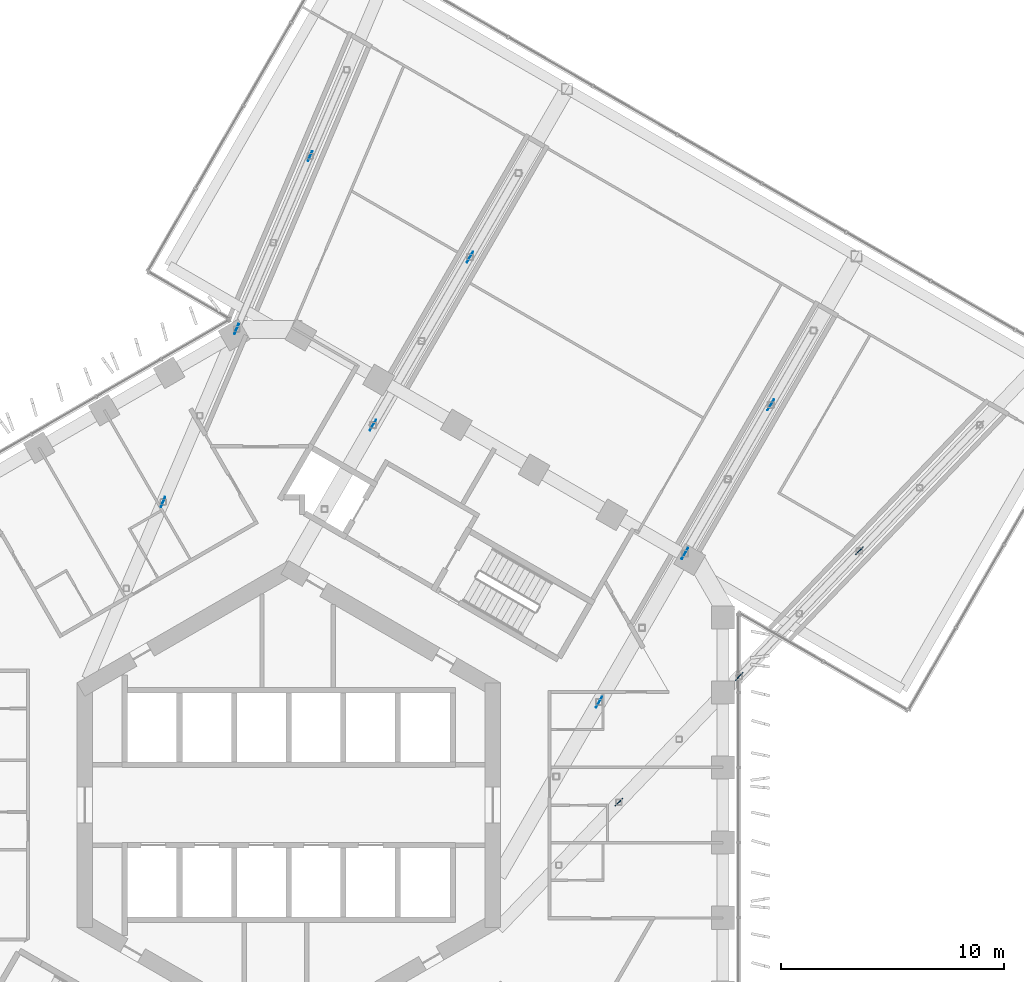
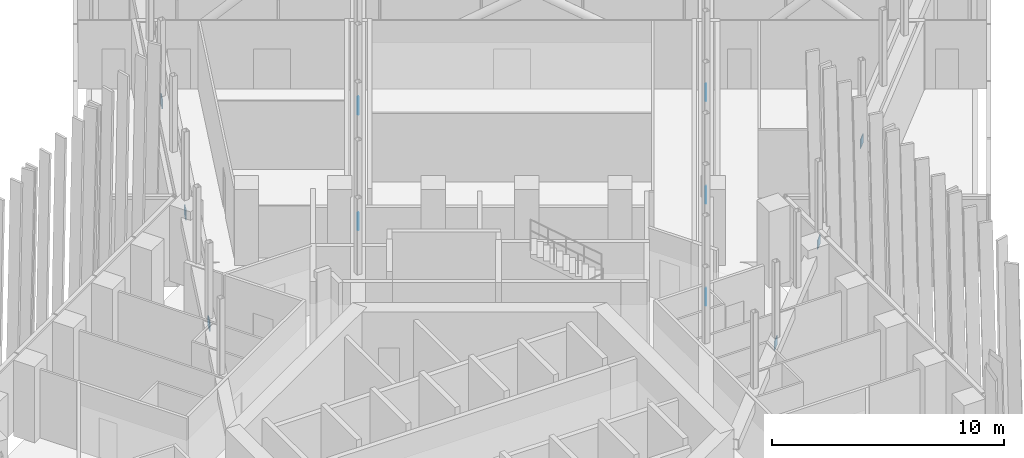
# One storey, part 24 of 31: 11 discrete accessories.
"""IFC4 building model written with IfcOpenShell, lengths in metres."""

import ifcopenshell
import ifcopenshell.guid

model = None  # the IFC model being written
_history = None  # IfcOwnerHistory: only IFC2X3 demands one
_inside = {}  # id of a spatial element -> (the spatial element, [elements in it])
_under = {}  # id of a project, library or spatial element -> (it, [spatial elements below it])
_declared = {}  # id of a project -> (the project, [libraries it declares])
_typed = {}  # id of a type object -> (the type object, [elements of that type])
_made_of = {}  # id of a material, layer set ... -> (it, [elements and type objects made of it])


def new_model(schema):
    """Start an empty IFC model of exactly this schema.

    Asked for "IFC4X3", IfcOpenShell would pick the latest addendum, in which some entities
    have other attributes; the version numbers below select the first issue.
    IFC2X3 requires an IfcOwnerHistory on every rooted entity: one is made here for all.
    """
    global model, _history
    if schema == "IFC4X3":
        model = ifcopenshell.file(schema_version=(4, 3, 0, 0))
    else:
        model = ifcopenshell.file(schema=schema)
    _inside.clear()
    _under.clear()
    _declared.clear()
    _typed.clear()
    _made_of.clear()
    _history = None
    if model.schema == "IFC2X3":
        org = make("IfcOrganization", Name="unknown")
        user = make(
            "IfcPersonAndOrganization",
            ThePerson=make("IfcPerson", FamilyName="unknown"),
            TheOrganization=org,
        )
        app = make(
            "IfcApplication",
            ApplicationDeveloper=org,
            Version="unknown",
            ApplicationFullName="unknown",
            ApplicationIdentifier="unknown",
        )
        _history = make(
            "IfcOwnerHistory",
            OwningUser=user,
            OwningApplication=app,
            ChangeAction="ADDED",
            CreationDate=0,
        )
    return model


def make(cls, **values):
    """One entity of the class cls with the attributes given. An attribute that is None is left unset."""
    return model.create_entity(
        cls, **{name: value for name, value in values.items() if value is not None}
    )


def rooted(cls, **values):
    """An entity with a GlobalId (a new one), such as an element, a storey or a relation."""
    return make(cls, GlobalId=ifcopenshell.guid.new(), OwnerHistory=_history, **values)


def si_unit(unit_type, name, prefix=None):
    """IfcSIUnit, for example si_unit("LENGTHUNIT", "METRE", prefix="MILLI")."""
    return make("IfcSIUnit", UnitType=unit_type, Prefix=prefix, Name=name)


def assignment(units):
    """IfcUnitAssignment: the units of a project."""
    return None if units is None else make("IfcUnitAssignment", Units=units)


def point(xyz):
    """IfcCartesianPoint."""
    return None if xyz is None else make("IfcCartesianPoint", Coordinates=xyz)


def direction(xyz):
    """IfcDirection."""
    return None if xyz is None else make("IfcDirection", DirectionRatios=xyz)


def frame(location, z_axis=None, x_axis=None):
    """IfcAxis2Placement3D, a coordinate frame: its origin and axes. An axis left out is left unset."""
    return make(
        "IfcAxis2Placement3D",
        Location=point(location),
        Axis=direction(z_axis),
        RefDirection=direction(x_axis),
    )


def frame_2d(location, x_axis=None):
    """IfcAxis2Placement2D, a coordinate frame in the plane: its origin and x axis."""
    return make(
        "IfcAxis2Placement2D", Location=point(location), RefDirection=direction(x_axis)
    )


def origin():
    """The frame at (0, 0, 0) with its axes left unset."""
    return frame((0.0, 0.0, 0.0))


def origin_2d():
    """The frame at (0, 0) in the plane with its x axis left unset."""
    return frame_2d((0.0, 0.0))


def place(relative_to, where):
    """IfcLocalPlacement: puts the frame where relative to a parent placement (None: the world)."""
    return make(
        "IfcLocalPlacement", PlacementRelTo=relative_to, RelativePlacement=where
    )


def context(
    kind, dimensions, precision=None, world=None, true_north=None, identifier=None
):
    """IfcGeometricRepresentationContext, for example the 3D "Model" context."""
    return make(
        "IfcGeometricRepresentationContext",
        ContextIdentifier=identifier,
        ContextType=kind,
        CoordinateSpaceDimension=dimensions,
        Precision=precision,
        WorldCoordinateSystem=world,
        TrueNorth=true_north,
    )


def subcontext(parent, identifier, kind, view, scale=None):
    """IfcGeometricRepresentationSubContext, for example "Body" below "Model"."""
    return make(
        "IfcGeometricRepresentationSubContext",
        ContextIdentifier=identifier,
        ContextType=kind,
        ParentContext=parent,
        TargetScale=scale,
        TargetView=view,
    )


def project(units=None, contexts=None):
    """IfcProject with its units and contexts."""
    return rooted(
        "IfcProject",
        Name="project",
        RepresentationContexts=contexts,
        UnitsInContext=assignment(units),
    )


def spatial(cls, under=None, at=None, **own):
    """A site, building, storey or space (cls), placed at a placement, below another one or the project."""
    s = rooted(cls, ObjectPlacement=at, **own)
    if under is not None:
        _under.setdefault(under.id(), (under, []))[1].append(s)
    return s


def profile(cls, at=None, kind="AREA", **sizes):
    """A parametric profile (cls). Its sizes go by their IFC names, for example OverallWidth=200.0."""
    return make(cls, ProfileType=kind, Position=at, **sizes)


def rectangle(**sizes):
    """IfcRectangleProfileDef."""
    return profile("IfcRectangleProfileDef", **sizes)


def extrude(swept, where, along, depth):
    """IfcExtrudedAreaSolid: the profile swept, set in the frame where, extruded along a direction by depth."""
    return make(
        "IfcExtrudedAreaSolid",
        SweptArea=swept,
        Position=where,
        ExtrudedDirection=direction(along),
        Depth=depth,
    )


def shape(context_of_items, identifier, shape_type, items):
    """IfcShapeRepresentation: the items that make up one representation, for example the "Body"."""
    return make(
        "IfcShapeRepresentation",
        ContextOfItems=context_of_items,
        RepresentationIdentifier=identifier,
        RepresentationType=shape_type,
        Items=items,
    )


def material(Name=None, Category=None):
    """IfcMaterial."""
    return make("IfcMaterial", Name=Name, Category=Category)


def layer(
    of_material, thickness, ventilated=None, Name=None, Category=None, Priority=None
):
    """IfcMaterialLayer: one layer of a wall or slab, of a material (None: an air gap)."""
    return make(
        "IfcMaterialLayer",
        Material=of_material,
        LayerThickness=thickness,
        IsVentilated=ventilated,
        Name=Name,
        Category=Category,
        Priority=Priority,
    )


def layer_set(layers, Name=None):
    """IfcMaterialLayerSet."""
    return make("IfcMaterialLayerSet", MaterialLayers=layers, LayerSetName=Name)


def made_of(thing, what):
    """Note that an element or type object is made of a material, layer set ...; save() writes the relation."""
    if what is not None:
        _made_of.setdefault(what.id(), (what, []))[1].append(thing)
    return thing


def type_object(cls, material=None, **own):
    """A type object (cls), such as IfcWallType, which elements share."""
    return made_of(rooted(cls, **own), material)


def element(
    cls,
    number,
    at=None,
    inside=None,
    cuts=None,
    type_object=None,
    material=None,
    context=None,
    identifier="Body",
    shape_type=None,
    held_by="IfcProductDefinitionShape",
    body=None,
    shapes=None,
    **own,
):
    """One element of the class cls, such as IfcWall. Its Tag is "e" and its number.

    at: its placement. inside: the storey or other place that contains it. cuts: it is an
    opening in that element (IfcRelVoidsElement). A single representation is given by context,
    identifier, shape_type and body (its items); several are given by shapes. held_by: the class
    of the entity that holds the representations. save() writes the other relations.
    """
    e = rooted(cls, Tag="e%d" % number, ObjectPlacement=at, **own)
    if body is not None:
        shapes = [shape(context, identifier, shape_type, body)]
    if shapes is not None:
        e.Representation = make(held_by, Representations=shapes)
    if inside is not None:
        _inside.setdefault(inside.id(), (inside, []))[1].append(e)
    if cuts is not None:
        rooted(
            "IfcRelVoidsElement", RelatingBuildingElement=cuts, RelatedOpeningElement=e
        )
    if type_object is not None:
        _typed.setdefault(type_object.id(), (type_object, []))[1].append(e)
    return made_of(e, material)


def aggregate(whole, parts):
    """IfcRelAggregates: a whole, such as a stair, and the parts it consists of."""
    return rooted("IfcRelAggregates", RelatingObject=whole, RelatedObjects=parts)


def save(model, path):
    """Write the relations noted so far, then the file.

    IfcRelAggregates (storeys below a building ...), IfcRelContainedInSpatialStructure (elements
    in a storey), IfcRelDefinesByType, IfcRelAssociatesMaterial and IfcRelDeclares: one each for
    every whole, place, type object, material and project.
    """
    for whole, parts in _under.values():
        aggregate(whole, parts)
    for where, things in _inside.values():
        rooted(
            "IfcRelContainedInSpatialStructure",
            RelatedElements=things,
            RelatingStructure=where,
        )
    for kind, things in _typed.values():
        rooted("IfcRelDefinesByType", RelatedObjects=things, RelatingType=kind)
    for what, things in _made_of.values():
        rooted("IfcRelAssociatesMaterial", RelatedObjects=things, RelatingMaterial=what)
    for by, libraries in _declared.values():
        rooted("IfcRelDeclares", RelatingContext=by, RelatedDefinitions=libraries)
    model.write(path)


model = new_model("IFC4")

# Units and contexts
model_context = context("Model", 3, precision=1e-05, world=origin(), true_north=direction((0.0, 1.0)))
body_context = subcontext(model_context, "Body", "Model", "MODEL_VIEW")
ifc_project = project(units=[si_unit("LENGTHUNIT", "METRE"), si_unit("AREAUNIT", "SQUARE_METRE"), si_unit("VOLUMEUNIT", "CUBIC_METRE"), si_unit("PLANEANGLEUNIT", "RADIAN"), si_unit("MASSUNIT", "GRAM", prefix="KILO")], contexts=[model_context])

# Site, building, storey
site_placement = place(None, origin())
site = spatial("IfcSite", under=ifc_project, at=site_placement, CompositionType="ELEMENT")
building_placement = place(site_placement, origin())
building = spatial("IfcBuilding", under=site, at=building_placement, Name="Ayvan Gate Tower", CompositionType="ELEMENT")
storey_placement = place(building_placement, frame((0.0, 0.0, 135.89990234375)))
storey = spatial("IfcBuildingStorey", under=building, at=storey_placement, Name="L36", CompositionType="ELEMENT", Elevation=135.89990234375)

# Discrete accessories
ifc_material = material(Name="Steel S460ML", Category="steel")
ifc_layer_1 = layer(ifc_material, 0.030029296875)
ifc_layer_set_1 = layer_set([ifc_layer_1], Name="Steel S460ML")
discrete_accessory_type_1 = type_object("IfcDiscreteAccessoryType", Name="Gusset plate 30 mm", PredefinedType="BRACKET", material=ifc_layer_set_1)
for number, where, z_axis, x_axis, name in (
    (1, (13.925048828125, 4.618896484375, 2.9951171875), (0.0, 0.0, 1.0), (0.5, 0.866025403784, 0.0), "Gusset plate SBT3-2-D-2"),
    (2, (17.775390625, 11.28759765625, 2.9951171875), (0.0, 0.0, 1.0), (0.5, 0.866025403784, 0.0), "Gusset plate SBT3-2-D-4"),
    (3, (21.62548828125, 17.95654296875, 2.9951171875), (0.0, 0.0, 1.0), (0.5, 0.866025403784, 0.0), "Gusset plate SBT3-2-D-6"),
    (4, (3.77978515625, 17.046630859375, 2.9951171875), (0.0, 0.0, 1.0), (0.5, 0.866025403784, 0.0), "Gusset plate SBT3-3-D-2"),
    (5, (8.132568359375, 24.5859375, 2.9951171875), (0.0, 0.0, 1.0), (0.5, 0.866025403784, 0.0), "Gusset plate SBT3-3-D-4"),
):
    element("IfcDiscreteAccessory", number, at=place(storey_placement, frame(where, z_axis=z_axis, x_axis=x_axis)), inside=storey, type_object=discrete_accessory_type_1, Name=name, PredefinedType="BRACKET", context=body_context, shape_type="SweptSolid", body=[
        extrude(rectangle(XDim=0.56005859375, YDim=0.030029296875, at=origin_2d()), origin(), (0.0, 0.0, 1.0), 0.56005859375),
    ])
ifc_layer_2 = layer(ifc_material, 0.034912109375)
ifc_layer_set_2 = layer_set([ifc_layer_2], Name="Steel S460ML")
discrete_accessory_type_2 = type_object("IfcDiscreteAccessoryType", Name="Gusset plate 35 mm", PredefinedType="BRACKET", material=ifc_layer_set_2)
for number, where, z_axis, x_axis, name in (
    (6, (14.813232421875, 0.12646484375, 3.03515625), (0.0, 0.0, 1.0), (0.691214195812, 0.722649939811, 0.0), "Gusset plate SBT3-1-D-2"),
    (7, (20.210205078125, 5.76904296875, 3.03515625), (0.0, 0.0, 1.0), (0.691214195812, 0.722649939811, 0.0), "Gusset plate SBT3-1-D-4"),
    (8, (25.607421875, 11.41162109375, 3.03515625), (0.0, 0.0, 1.0), (0.691214195812, 0.722649939811, 0.0), "Gusset plate SBT3-1-D-6"),
    (9, (-5.640625, 13.59716796875, 3.03515625), (0.0, 0.0, 1.0), (0.39132387693, 0.920253021372, 0.0), "Gusset plate SBT3-4-D-2"),
    (10, (-2.341064453125, 21.3564453125, 3.03515625), (0.0, 0.0, 1.0), (0.39132387693, 0.920253021372, 0.0), "Gusset plate SBT3-4-D-4"),
    (11, (0.95849609375, 29.115966796875, 3.03515625), (0.0, 0.0, 1.0), (0.39132387693, 0.920253021372, 0.0), "Gusset plate SBT3-4-D-6"),
):
    element("IfcDiscreteAccessory", number, at=place(storey_placement, frame(where, z_axis=z_axis, x_axis=x_axis)), inside=storey, type_object=discrete_accessory_type_2, Name=name, PredefinedType="BRACKET", context=body_context, shape_type="SweptSolid", body=[
        extrude(rectangle(XDim=0.47998046875, YDim=0.034912109375, at=origin_2d()), origin(), (0.0, 0.0, 1.0), 0.47998046875),
    ])

save(model, "model.ifc")
